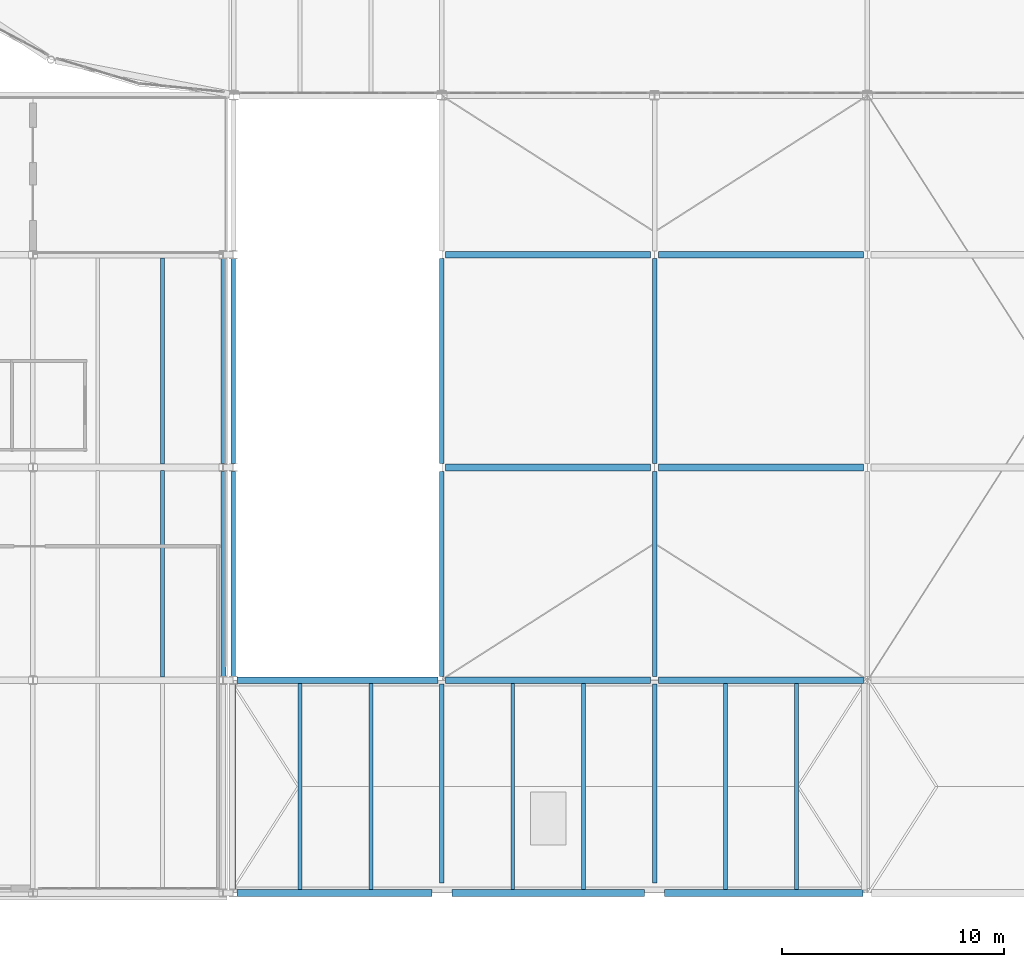
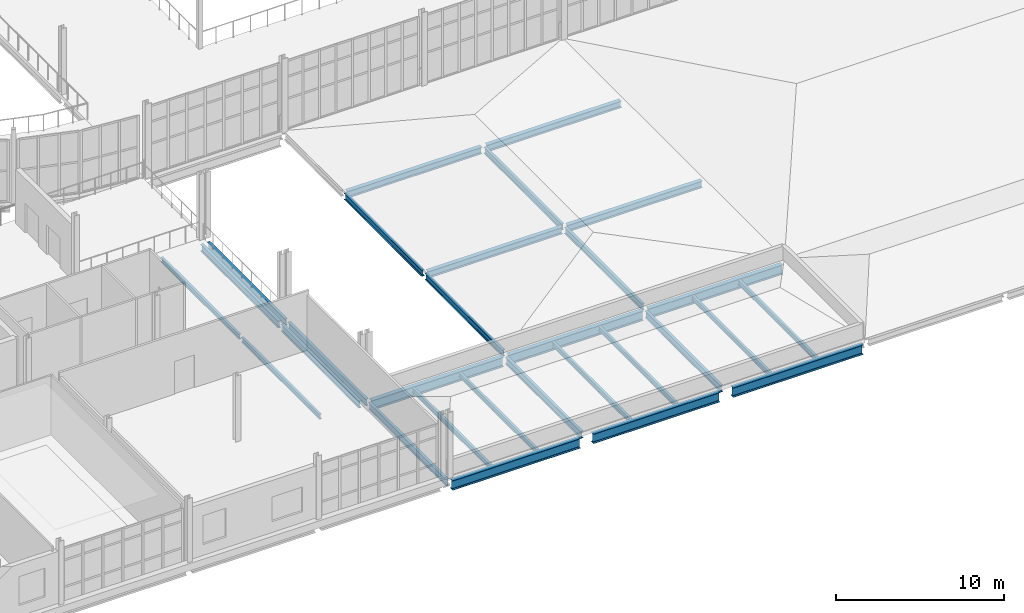
# One storey, part 23 of 112: 29 beams.
"""IFC4 building model written with IfcOpenShell, lengths in metres."""

from ifc_helpers import new_model, si_unit, direction, frame, origin, origin_2d, place, context, subcontext, project, spatial, i_section, extrude, material, material_profile, profile_set, type_object, element, save


model = new_model("IFC4")

# Units and contexts
model_context = context("Model", 3, precision=1e-05, world=origin(), true_north=direction((0.0, 1.0)))
body_context = subcontext(model_context, "Body", "Model", "MODEL_VIEW")
ifc_project = project(units=[si_unit("LENGTHUNIT", "METRE"), si_unit("AREAUNIT", "SQUARE_METRE"), si_unit("VOLUMEUNIT", "CUBIC_METRE"), si_unit("PLANEANGLEUNIT", "RADIAN"), si_unit("MASSUNIT", "GRAM", prefix="KILO")], contexts=[model_context])

# Site, building, storey
site_placement = place(None, origin())
site = spatial("IfcSite", under=ifc_project, at=site_placement, CompositionType="ELEMENT")
building_placement = place(site_placement, origin())
building = spatial("IfcBuilding", under=site, at=building_placement, Name="Yeouljin Market Hall", CompositionType="ELEMENT")
storey_placement = place(building_placement, frame((0.0, 0.0, 6.0)))
storey = spatial("IfcBuildingStorey", under=building, at=storey_placement, Name="L01", CompositionType="ELEMENT", Elevation=6.0)

# Beams
ifc_material_1 = material(Name="Steel SM355", Category="steel")
ifc_material_profile_1 = material_profile(ifc_material_1, i_section(OverallWidth=0.199951171875, OverallDepth=0.449951171875, WebThickness=0.009033203125, FlangeThickness=0.013916015625, FilletRadius=0.01806640625, at=origin_2d()), Name="H-450x200x9x14")
ifc_profile_set_1 = profile_set([ifc_material_profile_1], Name="Steel SM355")
beam_type_1 = type_object("IfcBeamType", Name="Beam_H-450x200x9x14", PredefinedType="BEAM", material=ifc_profile_set_1)
for number, where, z_axis, x_axis, name in (
    (1, (45.0, 9.77490234375, -0.2451171875), (0.0, 1.0, 0.0), (-1.0, 0.0, 0.0), "Boulevard forecourt canopy beam BM-V5FC-Y01"),
    (2, (45.0, 19.375, -0.2451171875), (0.0, 1.0, 0.0), (-1.0, 0.0, 0.0), "Boulevard forecourt canopy beam BM-V5FC-Y02"),
    (3, (54.60009765625, 9.77490234375, -0.2451171875), (0.0, 1.0, 0.0), (-1.0, 0.0, 0.0), "Boulevard forecourt canopy beam BM-V5FC-Y04"),
    (4, (54.60009765625, 19.375, -0.2451171875), (0.0, 1.0, 0.0), (-1.0, 0.0, 0.0), "Boulevard forecourt canopy beam BM-V5FC-Y05"),
):
    element("IfcBeam", number, at=place(storey_placement, frame(where, z_axis=z_axis, x_axis=x_axis)), inside=storey, type_object=beam_type_1, Name=name, PredefinedType="BEAM", context=body_context, shape_type="SweptSolid", body=[
        extrude(i_section(OverallWidth=0.199951171875, OverallDepth=0.449951171875, WebThickness=0.009033203125, FlangeThickness=0.013916015625, FilletRadius=0.01806640625, at=origin_2d()), origin(), (0.0, 0.0, 1.0), 9.25),
    ])
ifc_material_2 = material(Name="Steel SM355", Category="steel")
ifc_material_profile_2 = material_profile(ifc_material_2, i_section(OverallWidth=0.199951171875, OverallDepth=0.5, WebThickness=0.010009765625, FlangeThickness=0.01611328125, FilletRadius=0.02001953125, at=origin_2d()), Name="H-500x200x10x16")
ifc_profile_set_2 = profile_set([ifc_material_profile_2], Name="Steel SM355")
beam_type_2 = type_object("IfcBeamType", Name="Beam_H-500x200x10x16", PredefinedType="BEAM", material=ifc_profile_set_2)
for number, where, z_axis, x_axis, name in (
    (5, (35.1298828125, 9.77490234375, -0.514892578125), (0.0, 1.0, 0.0), (-1.0, 0.0, 0.0), "Primary beam BM-L01-Y145"),
    (6, (35.1298828125, 19.375, -0.514892578125), (0.0, 1.0, 0.0), (-1.0, 0.0, 0.0), "Primary beam BM-L01-Y146"),
    (7, (35.590087890625, 0.175048828125, -0.530029296875), (0.0, 1.0, 0.0), (-1.0, 0.0, 0.0), "Primary beam BM-L01-Y147"),
    (8, (35.590087890625, 9.77490234375, -0.514892578125), (0.0, 1.0, 0.0), (-1.0, 0.0, 0.0), "Primary beam BM-L01-Y148"),
    (9, (35.590087890625, 19.375, -0.514892578125), (0.0, 1.0, 0.0), (-1.0, 0.0, 0.0), "Primary beam BM-L01-Y149"),
):
    element("IfcBeam", number, at=place(storey_placement, frame(where, z_axis=z_axis, x_axis=x_axis)), inside=storey, type_object=beam_type_2, Name=name, PredefinedType="BEAM", context=body_context, shape_type="SweptSolid", body=[
        extrude(i_section(OverallWidth=0.199951171875, OverallDepth=0.5, WebThickness=0.010009765625, FlangeThickness=0.01611328125, FilletRadius=0.02001953125, at=origin_2d()), origin(), (0.0, 0.0, 1.0), 9.25),
    ])
for number, where, z_axis, x_axis, name in (
    (10, (45.0, 0.449951171875, -0.530029296875), (0.0, 1.0, 0.0), (-1.0, 0.0, 0.0), "Primary beam BM-L01-Y155"),
    (11, (54.60009765625, 0.449951171875, -0.530029296875), (0.0, 1.0, 0.0), (-1.0, 0.0, 0.0), "Primary beam BM-L01-Y162"),
):
    element("IfcBeam", number, at=place(storey_placement, frame(where, z_axis=z_axis, x_axis=x_axis)), inside=storey, type_object=beam_type_2, Name=name, PredefinedType="BEAM", context=body_context, shape_type="SweptSolid", body=[
        extrude(i_section(OverallWidth=0.199951171875, OverallDepth=0.5, WebThickness=0.010009765625, FlangeThickness=0.01611328125, FilletRadius=0.02001953125, at=origin_2d()), origin(), (0.0, 0.0, 1.0), 8.97509765625),
    ])
ifc_material_3 = material(Name="Steel SM355", Category="steel")
ifc_material_profile_3 = material_profile(ifc_material_3, i_section(OverallWidth=0.300048828125, OverallDepth=0.488037109375, WebThickness=0.010986328125, FlangeThickness=0.01806640625, FilletRadius=0.02197265625, at=origin_2d()), Name="H-488x300x11x18")
ifc_profile_set_3 = profile_set([ifc_material_profile_3], Name="Steel SM355")
beam_type_3 = type_object("IfcBeamType", Name="Girder_H-488x300x11x18", PredefinedType="USERDEFINED", material=ifc_profile_set_3)
for number, where, z_axis, x_axis, name in (
    (12, (45.175048828125, 19.199951171875, -0.263916015625), (1.0, 0.0, 0.0), (0.0, 1.0, 0.0), "Boulevard forecourt canopy girder GRD-V5FC-X11"),
    (13, (54.77490234375, 19.199951171875, -0.263916015625), (1.0, 0.0, 0.0), (0.0, 1.0, 0.0), "Boulevard forecourt canopy girder GRD-V5FC-X12"),
    (14, (45.175048828125, 28.800048828125, -0.263916015625), (1.0, 0.0, 0.0), (0.0, 1.0, 0.0), "Boulevard forecourt canopy girder GRD-V5FC-X20"),
    (15, (54.77490234375, 28.800048828125, -0.263916015625), (1.0, 0.0, 0.0), (0.0, 1.0, 0.0), "Boulevard forecourt canopy girder GRD-V5FC-X21"),
):
    element("IfcBeam", number, at=place(storey_placement, frame(where, z_axis=z_axis, x_axis=x_axis)), inside=storey, type_object=beam_type_3, Name=name, ObjectType="GIRDER", PredefinedType="USERDEFINED", context=body_context, shape_type="SweptSolid", body=[
        extrude(i_section(OverallWidth=0.300048828125, OverallDepth=0.488037109375, WebThickness=0.010986328125, FlangeThickness=0.01806640625, FilletRadius=0.02197265625, at=origin_2d()), origin(), (0.0, 0.0, 1.0), 9.25),
    ])
ifc_material_4 = material(Name="Steel SM355", Category="steel")
ifc_material_profile_4 = material_profile(ifc_material_4, i_section(OverallWidth=0.300048828125, OverallDepth=0.699951171875, WebThickness=0.012939453125, FlangeThickness=0.02392578125, FilletRadius=0.02587890625, at=origin_2d()), Name="H-700x300x13x24")
ifc_profile_set_4 = profile_set([ifc_material_profile_4], Name="Steel SM355")
beam_type_4 = type_object("IfcBeamType", Name="Girder_H-700x300x13x24", PredefinedType="USERDEFINED", material=ifc_profile_set_4)
beam_1_placement = place(storey_placement, frame((35.764892578125, 0.0, -0.6298828125), z_axis=(1.0, 0.0, 0.0), x_axis=(0.0, 1.0, 0.0)))
element("IfcBeam", 16, at=beam_1_placement, inside=storey, type_object=beam_type_4, Name="Primary girder GRD-L01-X005", ObjectType="GIRDER", PredefinedType="USERDEFINED", context=body_context, shape_type="SweptSolid", body=[
    extrude(i_section(OverallWidth=0.300048828125, OverallDepth=0.699951171875, WebThickness=0.012939453125, FlangeThickness=0.02392578125, FilletRadius=0.02587890625, at=origin_2d()), origin(), (0.0, 0.0, 1.0), 8.78515625),
])
beam_2_placement = place(storey_placement, frame((45.449951171875, 0.0, -0.6298828125), z_axis=(1.0, 0.0, 0.0), x_axis=(0.0, 1.0, 0.0)))
element("IfcBeam", 17, at=beam_2_placement, inside=storey, type_object=beam_type_4, Name="Primary girder GRD-L01-X006", ObjectType="GIRDER", PredefinedType="USERDEFINED", context=body_context, shape_type="SweptSolid", body=[
    extrude(i_section(OverallWidth=0.300048828125, OverallDepth=0.699951171875, WebThickness=0.012939453125, FlangeThickness=0.02392578125, FilletRadius=0.02587890625, at=origin_2d()), origin(), (0.0, 0.0, 1.0), 8.699951171875),
])
beam_3_placement = place(storey_placement, frame((55.050048828125, 0.0, -0.6298828125), z_axis=(1.0, 0.0, 0.0), x_axis=(0.0, 1.0, 0.0)))
element("IfcBeam", 18, at=beam_3_placement, inside=storey, type_object=beam_type_4, Name="Primary girder GRD-L01-X007", ObjectType="GIRDER", PredefinedType="USERDEFINED", context=body_context, shape_type="SweptSolid", body=[
    extrude(i_section(OverallWidth=0.300048828125, OverallDepth=0.699951171875, WebThickness=0.012939453125, FlangeThickness=0.02392578125, FilletRadius=0.02587890625, at=origin_2d()), origin(), (0.0, 0.0, 1.0), 8.949951171875),
])
beam_4_placement = place(storey_placement, frame((35.764892578125, 9.60009765625, -0.6298828125), z_axis=(1.0, 0.0, 0.0), x_axis=(0.0, 1.0, 0.0)))
element("IfcBeam", 19, at=beam_4_placement, inside=storey, type_object=beam_type_4, Name="Primary girder GRD-L01-X019", ObjectType="GIRDER", PredefinedType="USERDEFINED", context=body_context, shape_type="SweptSolid", body=[
    extrude(i_section(OverallWidth=0.300048828125, OverallDepth=0.699951171875, WebThickness=0.012939453125, FlangeThickness=0.02392578125, FilletRadius=0.02587890625, at=origin_2d()), origin(), (0.0, 0.0, 1.0), 9.06005859375),
])
for number, where, z_axis, x_axis, name in (
    (20, (45.175048828125, 9.60009765625, -0.6298828125), (1.0, 0.0, 0.0), (0.0, 1.0, 0.0), "Primary girder GRD-L01-X020"),
    (21, (54.77490234375, 9.60009765625, -0.6298828125), (1.0, 0.0, 0.0), (0.0, 1.0, 0.0), "Primary girder GRD-L01-X021"),
):
    element("IfcBeam", number, at=place(storey_placement, frame(where, z_axis=z_axis, x_axis=x_axis)), inside=storey, type_object=beam_type_4, Name=name, ObjectType="GIRDER", PredefinedType="USERDEFINED", context=body_context, shape_type="SweptSolid", body=[
        extrude(i_section(OverallWidth=0.300048828125, OverallDepth=0.699951171875, WebThickness=0.012939453125, FlangeThickness=0.02392578125, FilletRadius=0.02587890625, at=origin_2d()), origin(), (0.0, 0.0, 1.0), 9.25),
    ])
ifc_material_5 = material(Name="Steel SM355", Category="steel")
ifc_material_profile_5 = material_profile(ifc_material_5, i_section(OverallWidth=0.175048828125, OverallDepth=0.35009765625, WebThickness=0.007080078125, FlangeThickness=0.010986328125, FilletRadius=0.013916015625, at=origin_2d()), Name="H-350x175x7x11")
ifc_profile_set_5 = profile_set([ifc_material_profile_5], Name="Steel SM355")
beam_type_5 = type_object("IfcBeamType", Name="Joist_H-350x175x7x11", PredefinedType="JOIST", material=ifc_profile_set_5)
beam_5_placement = place(storey_placement, frame((32.396728515625, 9.7470703125, -0.43994140625), z_axis=(0.0, 1.0, 0.0), x_axis=(-1.0, 0.0, 0.0)))
element("IfcBeam", 22, at=beam_5_placement, inside=storey, type_object=beam_type_5, Name="Secondary floor joist L01-023", PredefinedType="JOIST", context=body_context, shape_type="SweptSolid", body=[
    extrude(i_section(OverallWidth=0.175048828125, OverallDepth=0.35009765625, WebThickness=0.007080078125, FlangeThickness=0.010986328125, FilletRadius=0.013916015625, at=origin_2d()), origin(), (0.0, 0.0, 1.0), 9.305908203125),
])
beam_6_placement = place(storey_placement, frame((32.396728515625, 19.346923828125, -0.43994140625), z_axis=(0.0, 1.0, 0.0), x_axis=(-1.0, 0.0, 0.0)))
element("IfcBeam", 23, at=beam_6_placement, inside=storey, type_object=beam_type_5, Name="Secondary floor joist L01-025", PredefinedType="JOIST", context=body_context, shape_type="SweptSolid", body=[
    extrude(i_section(OverallWidth=0.175048828125, OverallDepth=0.35009765625, WebThickness=0.007080078125, FlangeThickness=0.010986328125, FilletRadius=0.013916015625, at=origin_2d()), origin(), (0.0, 0.0, 1.0), 9.30615234375),
])
for number, where, z_axis, x_axis, name in (
    (24, (38.60009765625, 0.14697265625, -0.455078125), (0.0, 1.0, 0.0), (-1.0, 0.0, 0.0), "Secondary floor joist L01-026"),
    (25, (41.800048828125, 0.14697265625, -0.455078125), (0.0, 1.0, 0.0), (-1.0, 0.0, 0.0), "Secondary floor joist L01-027"),
    (26, (48.199951171875, 0.14697265625, -0.455078125), (0.0, 1.0, 0.0), (-1.0, 0.0, 0.0), "Secondary floor joist L01-032"),
    (27, (51.39990234375, 0.14697265625, -0.455078125), (0.0, 1.0, 0.0), (-1.0, 0.0, 0.0), "Secondary floor joist L01-033"),
    (28, (57.800048828125, 0.14697265625, -0.455078125), (0.0, 1.0, 0.0), (-1.0, 0.0, 0.0), "Secondary floor joist L01-042"),
    (29, (61.0, 0.14697265625, -0.455078125), (0.0, 1.0, 0.0), (-1.0, 0.0, 0.0), "Secondary floor joist L01-043"),
):
    element("IfcBeam", number, at=place(storey_placement, frame(where, z_axis=z_axis, x_axis=x_axis)), inside=storey, type_object=beam_type_5, Name=name, PredefinedType="JOIST", context=body_context, shape_type="SweptSolid", body=[
        extrude(i_section(OverallWidth=0.175048828125, OverallDepth=0.35009765625, WebThickness=0.007080078125, FlangeThickness=0.010986328125, FilletRadius=0.013916015625, at=origin_2d()), origin(), (0.0, 0.0, 1.0), 9.305908203125),
    ])

save(model, "model.ifc")
